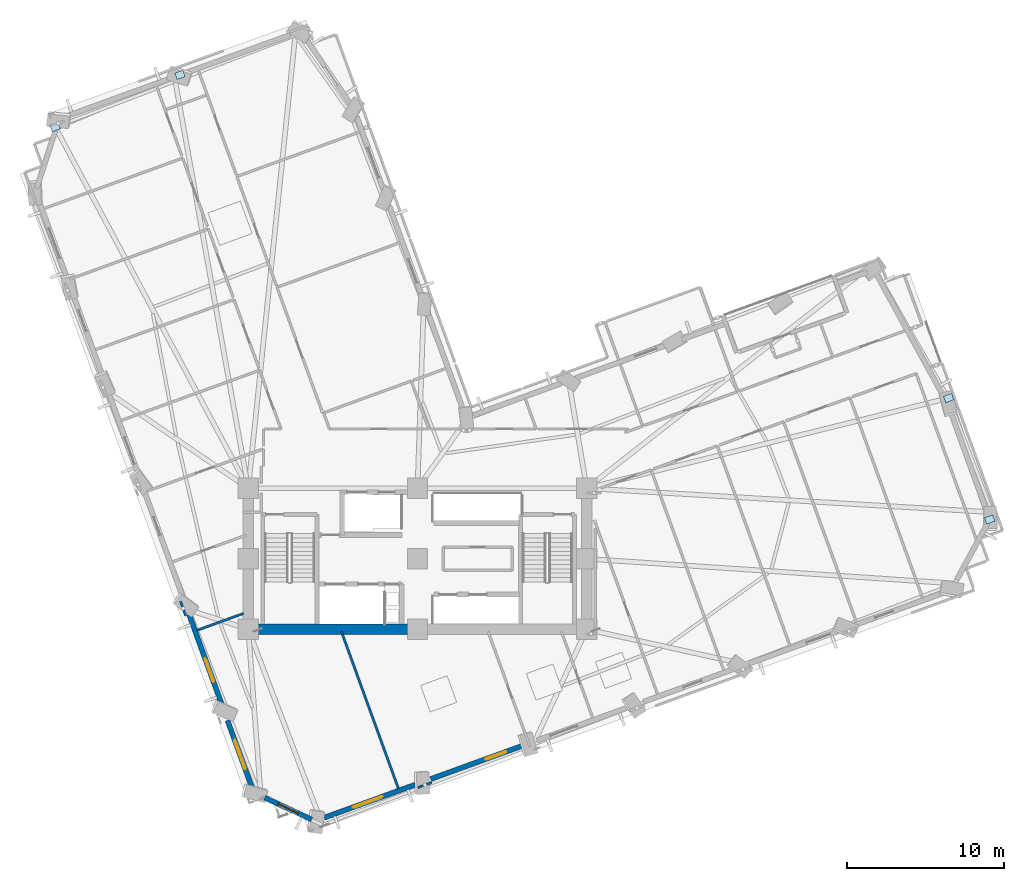
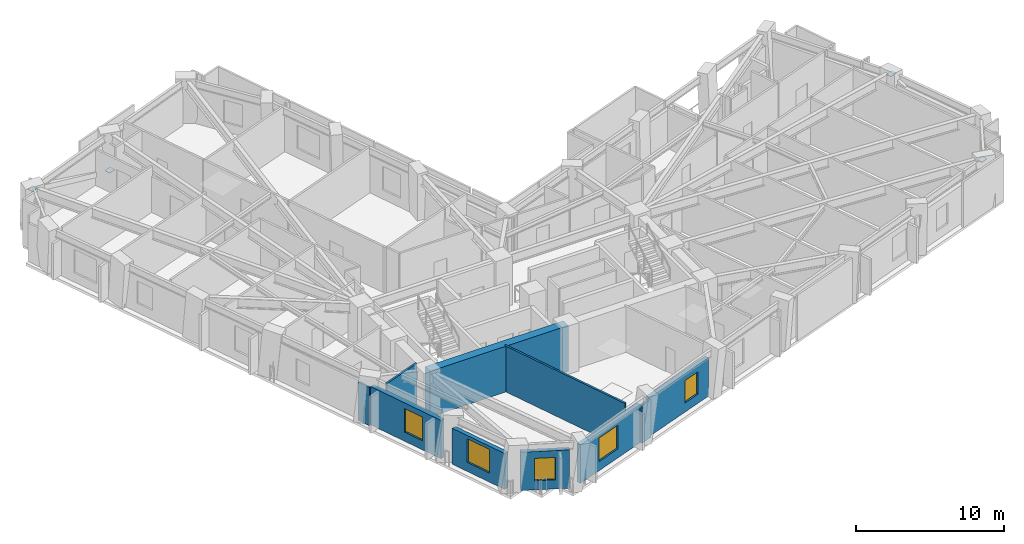
# One storey, part 8 of 17: 10 walls, 5 windows, 4 plates, 5 openings.
"""IFC4 building model written with IfcOpenShell, lengths in metres."""

from ifc_helpers import new_model, si_unit, direction, frame, frame_2d, origin, origin_2d, place, context, subcontext, project, spatial, rectangle, extrude, material, layer, layer_set, type_object, element, fill, save


model = new_model("IFC4")

# Units and contexts
model_context = context("Model", 3, precision=1e-05, world=origin(), true_north=direction((0.0, 1.0)))
body_context = subcontext(model_context, "Body", "Model", "MODEL_VIEW")
ifc_project = project(units=[si_unit("LENGTHUNIT", "METRE"), si_unit("AREAUNIT", "SQUARE_METRE"), si_unit("VOLUMEUNIT", "CUBIC_METRE"), si_unit("PLANEANGLEUNIT", "RADIAN"), si_unit("MASSUNIT", "GRAM", prefix="KILO")], contexts=[model_context])

# Site, building, storey
site_placement = place(None, origin())
site = spatial("IfcSite", under=ifc_project, at=site_placement, CompositionType="ELEMENT")
building_placement = place(site_placement, origin())
building = spatial("IfcBuilding", under=site, at=building_placement, Name="Gaonmaruhae Medical Tower", CompositionType="ELEMENT")
storey_placement = place(building_placement, frame((0.0, 0.0, 108.39990234375)))
storey = spatial("IfcBuildingStorey", under=building, at=storey_placement, Name="L25", CompositionType="ELEMENT", Elevation=108.39990234375)

# Plates
ifc_material_1 = material(Name="Steel HSA650 (650 MPa)", Category="steel")
ifc_layer_1 = layer(ifc_material_1, 0.028076171875)
ifc_layer_set_1 = layer_set([ifc_layer_1], Name="Steel HSA650 (650 MPa)")
plate_type = type_object("IfcPlateType", Name="GP-02 Tube Brace End Cap Gusset Plate", PredefinedType="USERDEFINED", material=ifc_layer_set_1)
for number, where, z_axis, x_axis, name in (
    (1, (61.322509765625, 14.809326171875, 0.23583984375), (0.0, 0.0, 1.0), (0.93999073182, 0.341199976689, 0.0), "L25 Gusset Cap Plate PLT-L25-PBR-E01A"),
    (2, (58.70166015625, 22.55712890625, 3.51611328125), (0.0, 0.0, 1.0), (0.934204474321, 0.35673799932, 0.0), "L25 Gusset Cap Plate PLT-L25-PBR-E01B"),
    (3, (9.6416015625, 43.17822265625, 0.23583984375), (0.0, 0.0, 1.0), (0.93999073182, 0.341199976689, 0.0), "L25 Gusset Cap Plate PLT-L25-PBR-N02A"),
    (4, (1.6796875, 39.853271484375, 3.51611328125), (0.0, 0.0, 1.0), (0.934204474321, 0.35673799932, 0.0), "L25 Gusset Cap Plate PLT-L25-PBR-N02B"),
):
    element("IfcPlate", number, at=place(storey_placement, frame(where, z_axis=z_axis, x_axis=x_axis)), inside=storey, type_object=plate_type, Name=name, ObjectType="GUSSET_PLATE", PredefinedType="USERDEFINED", context=body_context, shape_type="SweptSolid", body=[
        extrude(rectangle(XDim=0.56005859375, YDim=0.43994140625, at=origin_2d()), origin(), (0.0, 0.0, 1.0), 0.028076171875),
    ])

# Wall
ifc_material_2 = material(Name="Concrete C60/75", Category="concrete")
ifc_layer_2 = layer(ifc_material_2, 0.64990234375)
ifc_layer_set_2 = layer_set([ifc_layer_2], Name="Concrete C60/75")
wall_type_1 = type_object("IfcWallType", Name="CW-650 Zone 2 Core Shear Wall", PredefinedType="SHEAR", material=ifc_layer_set_2)
wall_1_placement = place(storey_placement, frame((14.0, 7.800048828125, 0.0), z_axis=(0.0, 0.0, 1.0), x_axis=(1.0, 0.0, 0.0)))
element("IfcWall", 5, at=wall_1_placement, inside=storey, type_object=wall_type_1, Name="L25 Core Shear Wall CSW-S1", PredefinedType="SHEAR", context=body_context, shape_type="SweptSolid", body=[
    extrude(rectangle(XDim=10.800048828125, YDim=0.64990234375, at=frame_2d((5.39990234375, 0.0))), origin(), (0.0, 0.0, 1.0), 3.780029296875),
])

# Wall, opening, window
ifc_material_3 = material(Name="Precast concrete C45/55", Category="concrete")
ifc_layer_3 = layer(ifc_material_3, 0.320068359375)
ifc_layer_set_3 = layer_set([ifc_layer_3], Name="Precast concrete C45/55")
wall_type_2 = type_object("IfcWallType", Name="EW-320 Lower Precast Masonry-Frame Facade Wall", PredefinedType="SOLIDWALL", material=ifc_layer_set_3)
wall_2_placement = place(storey_placement, frame((24.751220703125, -2.08251953125, 0.0), z_axis=(0.0, 0.0, 1.0), x_axis=(-0.940000162189, -0.341173995323, 0.0)))
wall_2 = element("IfcWall", 6, at=wall_2_placement, inside=storey, type_object=wall_type_2, Name="L25 Precast Masonry-Frame Wall S01-S02", PredefinedType="SOLIDWALL", context=body_context, shape_type="SweptSolid", body=[
    extrude(rectangle(XDim=6.27001953125, YDim=0.320068359375, at=frame_2d((3.135009765625, 0.0))), origin(), (0.0, 0.0, 1.0), 3.1650390625),
])
opening_1_placement = place(wall_2_placement, frame((2.314697265625, 0.0, 0.75)))
opening_1 = element("IfcOpeningElement", 7, at=opening_1_placement, cuts=wall_2, Name="Opening WN-02", PredefinedType="OPENING", context=body_context, shape_type="SweptSolid", body=[
    extrude(rectangle(XDim=2.0, YDim=1.949951171875, at=frame_2d((1.0, 0.97509765625))), frame((0.0, 0.169921875, 0.0), z_axis=(0.0, -1.0, 0.0), x_axis=(1.0, 0.0, 0.0)), (0.0, 0.0, 1.0), 0.340087890625),
])
ifc_material_4 = material(Name="Anodised aluminium and Low-E double glazing", Category="aluminium")
window_type_1 = type_object("IfcWindowType", Name="WN-02 Double-Bed Ward Punched Window 2000x1950", PartitioningType="SINGLE_PANEL", PredefinedType="WINDOW", material=ifc_material_4)
window_1_placement = place(opening_1_placement, origin())
window_1 = element("IfcWindow", 8, at=window_1_placement, inside=storey, type_object=window_type_1, Name="L25 Modular Facade Window S01", OverallHeight=1.949951171875, OverallWidth=2.0, PartitioningType="SINGLE_PANEL", PredefinedType="WINDOW", context=body_context, shape_type="SweptSolid", body=[
    extrude(rectangle(XDim=2.0, YDim=1.949951171875, at=frame_2d((1.0, 0.97509765625))), frame((0.0, 0.030029296875, 0.0), z_axis=(0.0, -1.0, 0.0), x_axis=(1.0, 0.0, 0.0)), (0.0, 0.0, 1.0), 0.06005859375),
])
fill(opening_1, window_1)

wall_3_placement = place(storey_placement, frame((31.505615234375, 0.369384765625, 0.0), z_axis=(0.0, 0.0, 1.0), x_axis=(-0.939986506667, -0.341211616572, 0.0)))
wall_3 = element("IfcWall", 9, at=wall_3_placement, inside=storey, type_object=wall_type_2, Name="L25 Precast Masonry-Frame Wall S02-S03", PredefinedType="SOLIDWALL", context=body_context, shape_type="SweptSolid", body=[
    extrude(rectangle(XDim=6.234130859375, YDim=0.320068359375, at=frame_2d((3.1171875, 0.0))), origin(), (0.0, 0.0, 1.0), 3.1650390625),
])
opening_2_placement = place(wall_3_placement, frame((1.10693359375, 0.0, 0.75)))
opening_2 = element("IfcOpeningElement", 10, at=opening_2_placement, cuts=wall_3, Name="Opening WN-03", PredefinedType="OPENING", context=body_context, shape_type="SweptSolid", body=[
    extrude(rectangle(XDim=1.39990234375, YDim=1.85009765625, at=frame_2d((0.699951171875, 0.925048828125))), frame((0.0, 0.169921875, 0.0), z_axis=(0.0, -1.0, 0.0), x_axis=(1.0, 0.0, 0.0)), (0.0, 0.0, 1.0), 0.340087890625),
])
window_type_2 = type_object("IfcWindowType", Name="WN-03 Isolation Ward Punched Window 1400x1850", PartitioningType="SINGLE_PANEL", PredefinedType="WINDOW", material=ifc_material_4)
window_2_placement = place(opening_2_placement, origin())
window_2 = element("IfcWindow", 11, at=window_2_placement, inside=storey, type_object=window_type_2, Name="L25 Modular Facade Window S02", OverallHeight=1.85009765625, OverallWidth=1.39990234375, PartitioningType="SINGLE_PANEL", PredefinedType="WINDOW", context=body_context, shape_type="SweptSolid", body=[
    extrude(rectangle(XDim=1.39990234375, YDim=1.85009765625, at=frame_2d((0.699951171875, 0.925048828125))), frame((0.0, 0.030029296875, 0.0), z_axis=(0.0, -1.0, 0.0), x_axis=(1.0, 0.0, 0.0)), (0.0, 0.0, 1.0), 0.06005859375),
])
fill(opening_2, window_2)

wall_4_placement = place(storey_placement, frame((12.35009765625, 2.89111328125, 0.0), z_axis=(0.0, 0.0, 1.0), x_axis=(-0.341172894035, 0.940000561902, 0.0)))
wall_4 = element("IfcWall", 12, at=wall_4_placement, inside=storey, type_object=wall_type_2, Name="L25 Precast Masonry-Frame Wall W05-W06", PredefinedType="SOLIDWALL", context=body_context, shape_type="SweptSolid", body=[
    extrude(rectangle(XDim=6.223388671875, YDim=0.320068359375, at=frame_2d((3.11181640625, 0.0))), origin(), (0.0, 0.0, 1.0), 3.1650390625),
])
opening_3_placement = place(wall_4_placement, frame((1.650146484375, 0.0, 0.75)))
opening_3 = element("IfcOpeningElement", 13, at=opening_3_placement, cuts=wall_4, Name="Opening WN-01", PredefinedType="OPENING", context=body_context, shape_type="SweptSolid", body=[
    extrude(rectangle(XDim=1.60009765625, YDim=1.949951171875, at=frame_2d((0.800048828125, 0.97509765625))), frame((0.0, 0.169921875, 0.0), z_axis=(0.0, -1.0, 0.0), x_axis=(1.0, 0.0, 0.0)), (0.0, 0.0, 1.0), 0.340087890625),
])
window_type_3 = type_object("IfcWindowType", Name="WN-01 Ward Punched Acoustic Window 1600x1950", PartitioningType="SINGLE_PANEL", PredefinedType="WINDOW", material=ifc_material_4)
window_3_placement = place(opening_3_placement, origin())
window_3 = element("IfcWindow", 14, at=window_3_placement, inside=storey, type_object=window_type_3, Name="L25 Modular Facade Window W05", OverallHeight=1.949951171875, OverallWidth=1.60009765625, PartitioningType="SINGLE_PANEL", PredefinedType="WINDOW", context=body_context, shape_type="SweptSolid", body=[
    extrude(rectangle(XDim=1.60009765625, YDim=1.949951171875, at=frame_2d((0.800048828125, 0.97509765625))), frame((0.0, 0.030029296875, 0.0), z_axis=(0.0, -1.0, 0.0), x_axis=(1.0, 0.0, 0.0)), (0.0, 0.0, 1.0), 0.06005859375),
])
fill(opening_3, window_3)

wall_5_placement = place(storey_placement, frame((14.265380859375, -2.38525390625, 0.0), z_axis=(0.0, 0.0, 1.0), x_axis=(-0.3411904673, 0.939994183505, 0.0)))
wall_5 = element("IfcWall", 15, at=wall_5_placement, inside=storey, type_object=wall_type_2, Name="L25 Precast Masonry-Frame Wall W06-W07", PredefinedType="SOLIDWALL", context=body_context, shape_type="SweptSolid", body=[
    extrude(rectangle(XDim=4.6474609375, YDim=0.320068359375, at=frame_2d((2.32373046875, 0.0))), origin(), (0.0, 0.0, 1.0), 2.965087890625),
])
opening_4_placement = place(wall_5_placement, frame((1.3271484375, 0.0, 0.75)))
opening_4 = element("IfcOpeningElement", 16, at=opening_4_placement, cuts=wall_5, Name="Opening WN-02", PredefinedType="OPENING", context=body_context, shape_type="SweptSolid", body=[
    extrude(rectangle(XDim=2.0, YDim=1.949951171875, at=frame_2d((1.0, 0.97509765625))), frame((0.0, 0.169921875, 0.0), z_axis=(0.0, -1.0, 0.0), x_axis=(1.0, 0.0, 0.0)), (0.0, 0.0, 1.0), 0.340087890625),
])
window_4_placement = place(opening_4_placement, origin())
window_4 = element("IfcWindow", 17, at=window_4_placement, inside=storey, type_object=window_type_1, Name="L25 Modular Facade Window W06", OverallHeight=1.949951171875, OverallWidth=2.0, PartitioningType="SINGLE_PANEL", PredefinedType="WINDOW", context=body_context, shape_type="SweptSolid", body=[
    extrude(rectangle(XDim=2.0, YDim=1.949951171875, at=frame_2d((1.0, 0.97509765625))), frame((0.0, 0.030029296875, 0.0), z_axis=(0.0, -1.0, 0.0), x_axis=(1.0, 0.0, 0.0)), (0.0, 0.0, 1.0), 0.06005859375),
])
fill(opening_4, window_4)

wall_6_placement = place(storey_placement, frame((18.05419921875, -4.345703125, 0.0), z_axis=(0.0, 0.0, 1.0), x_axis=(-0.905957756879, 0.423368093685, 0.0)))
wall_6 = element("IfcWall", 18, at=wall_6_placement, inside=storey, type_object=wall_type_2, Name="L25 Precast Masonry-Frame Wall W07-S01", PredefinedType="SOLIDWALL", context=body_context, shape_type="SweptSolid", body=[
    extrude(rectangle(XDim=3.32275390625, YDim=0.320068359375, at=frame_2d((1.661376953125, 0.0))), origin(), (0.0, 0.0, 1.0), 3.1650390625),
])
opening_5_placement = place(wall_6_placement, frame((0.9609375, 0.0, 0.75)))
opening_5 = element("IfcOpeningElement", 19, at=opening_5_placement, cuts=wall_6, Name="Opening WN-03", PredefinedType="OPENING", context=body_context, shape_type="SweptSolid", body=[
    extrude(rectangle(XDim=1.39990234375, YDim=1.85009765625, at=frame_2d((0.699951171875, 0.925048828125))), frame((0.0, 0.169921875, 0.0), z_axis=(0.0, -1.0, 0.0), x_axis=(1.0, 0.0, 0.0)), (0.0, 0.0, 1.0), 0.340087890625),
])
window_5_placement = place(opening_5_placement, origin())
window_5 = element("IfcWindow", 20, at=window_5_placement, inside=storey, type_object=window_type_2, Name="L25 Modular Facade Window W07", OverallHeight=1.85009765625, OverallWidth=1.39990234375, PartitioningType="SINGLE_PANEL", PredefinedType="WINDOW", context=body_context, shape_type="SweptSolid", body=[
    extrude(rectangle(XDim=1.39990234375, YDim=1.85009765625, at=frame_2d((0.699951171875, 0.925048828125))), frame((0.0, 0.030029296875, 0.0), z_axis=(0.0, -1.0, 0.0), x_axis=(1.0, 0.0, 0.0)), (0.0, 0.0, 1.0), 0.06005859375),
])
fill(opening_5, window_5)

# Walls
ifc_material_5 = material(Name="Gypsum board partition", Category="gypsum")
ifc_layer_4 = layer(ifc_material_5, 0.14990234375)
ifc_layer_set_4 = layer_set([ifc_layer_4], Name="Gypsum board partition")
wall_type_3 = type_object("IfcWallType", Name="PW-150 Rated Clinical Corridor Partition", PredefinedType="PARTITIONING", material=ifc_layer_set_4)
wall_7_placement = place(storey_placement, frame((19.947998046875, 7.64990234375, 0.0), z_axis=(0.0, 0.0, 1.0), x_axis=(0.341159632503, -0.940005375065, 0.0)))
element("IfcWall", 21, at=wall_7_placement, inside=storey, type_object=wall_type_3, Name="L25 Interior Partition L25-SUP02-6", PredefinedType="PARTITIONING", context=body_context, shape_type="SweptSolid", body=[
    extrude(rectangle(XDim=10.652099609375, YDim=0.14990234375, at=frame_2d((5.326171875, 0.0))), origin(), (0.0, 0.0, 1.0), 3.780029296875),
])
wall_8_placement = place(storey_placement, frame((25.72412109375, -1.97412109375, 0.0), z_axis=(0.0, 0.0, 1.0), x_axis=(-0.939845866074, -0.341598811509, 0.0)))
element("IfcWall", 22, at=wall_8_placement, inside=storey, type_object=wall_type_3, Name="L25 Interior Partition L25-SUP03-7", PredefinedType="PARTITIONING", context=body_context, shape_type="SweptSolid", body=[
    extrude(rectangle(XDim=0.951171875, YDim=0.14990234375, at=frame_2d((0.4755859375, 0.0))), origin(), (0.0, 0.0, 1.0), 3.1650390625),
])
wall_9_placement = place(storey_placement, frame((10.010986328125, 8.6630859375, 0.0), z_axis=(0.0, 0.0, 1.0), x_axis=(-0.341584064238, 0.939851226024, 0.0)))
element("IfcWall", 23, at=wall_9_placement, inside=storey, type_object=wall_type_3, Name="L25 Interior Partition L25-WOF12-33", PredefinedType="PARTITIONING", context=body_context, shape_type="SweptSolid", body=[
    extrude(rectangle(XDim=0.986328125, YDim=0.14990234375, at=frame_2d((0.4931640625, 0.0))), origin(), (0.0, 0.0, 1.0), 3.1650390625),
])
wall_10_placement = place(storey_placement, frame((13.699951171875, 8.81103515625, 0.0), z_axis=(0.0, 0.0, 1.0), x_axis=(-0.939856698146, -0.341569007596, 0.0)))
element("IfcWall", 24, at=wall_10_placement, inside=storey, type_object=wall_type_3, Name="L25 Interior Partition L25-WOF12-35", PredefinedType="PARTITIONING", context=body_context, shape_type="SweptSolid", body=[
    extrude(rectangle(XDim=3.153564453125, YDim=0.14990234375, at=frame_2d((1.57666015625, 0.0))), origin(), (0.0, 0.0, 1.0), 3.780029296875),
])

save(model, "model.ifc")
